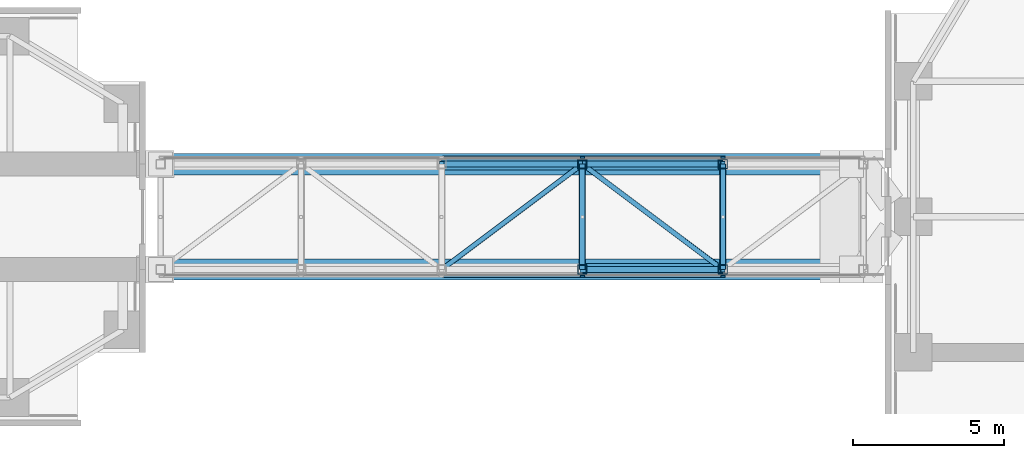
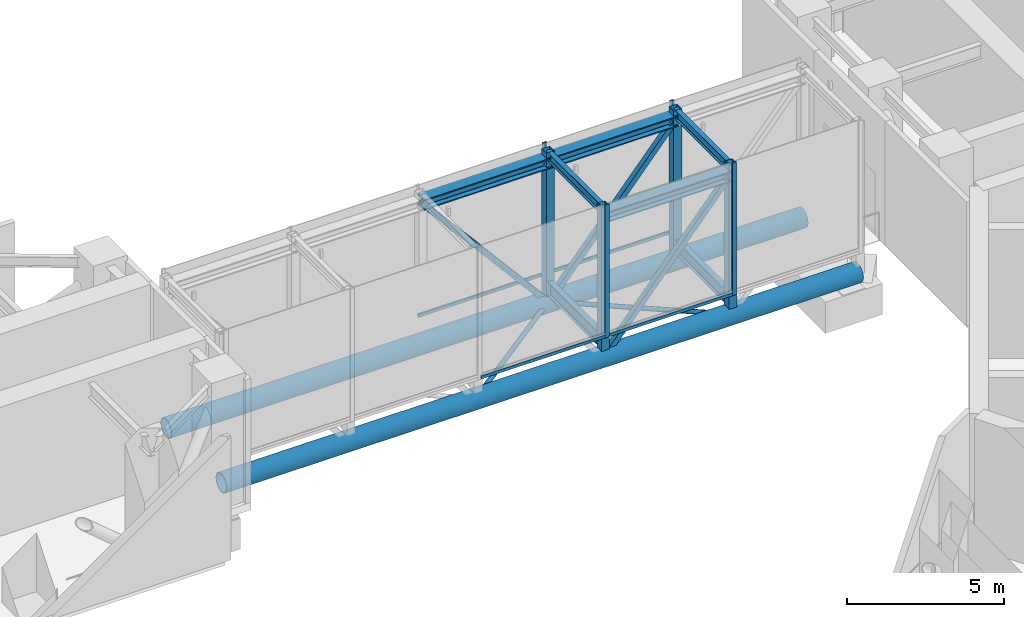
# One storey, part 3 of 15: 22 members, 4 beams, 2 elements without a shape of their own.
"""IFC4 building model written with IfcOpenShell, lengths in metres."""

from ifc_helpers import new_model, si_unit, direction, frame, origin, origin_2d, place, context, subcontext, project, spatial, rectangle, hollow_rectangle, hollow_circle, i_section, extrude, material, material_profile, profile_set, type_object, element, aggregate, save


model = new_model("IFC4")

# Units and contexts
model_context = context("Model", 3, precision=1e-05, world=origin(), true_north=direction((0.0, 1.0)))
body_context = subcontext(model_context, "Body", "Model", "MODEL_VIEW")
ifc_project = project(units=[si_unit("LENGTHUNIT", "METRE"), si_unit("AREAUNIT", "SQUARE_METRE"), si_unit("VOLUMEUNIT", "CUBIC_METRE"), si_unit("PLANEANGLEUNIT", "RADIAN"), si_unit("MASSUNIT", "GRAM", prefix="KILO")], contexts=[model_context])

# Site, building, storey
site_placement = place(None, origin())
site = spatial("IfcSite", under=ifc_project, at=site_placement, CompositionType="ELEMENT")
building_placement = place(site_placement, origin())
building = spatial("IfcBuilding", under=site, at=building_placement, Name="Upepo Twin Towers", CompositionType="ELEMENT")
storey_placement = place(building_placement, frame((0.0, 0.0, 165.5)))
storey = spatial("IfcBuildingStorey", under=building, at=storey_placement, Name="L40", CompositionType="ELEMENT", Elevation=165.5)

# Beams
ifc_material_1 = material(Name="Steel S355", Category="steel")
ifc_material_profile_1 = material_profile(ifc_material_1, i_section(OverallWidth=0.17138671875, OverallDepth=0.35498046875, WebThickness=0.00732421875, FlangeThickness=0.011474609375, FilletRadius=0.01025390625, at=origin_2d()), Name="UB 356x171x51")
ifc_profile_set_1 = profile_set([ifc_material_profile_1], Name="Steel S355")
beam_type_1 = type_object("IfcBeamType", Name="Beam UB 356x171x51", PredefinedType="BEAM", material=ifc_profile_set_1)
for number, where, z_axis, x_axis, name in (
    (1, (41.50390625, -1.75, 4.62255859375), (0.0, 1.0, 0.0), (-1.0, 0.0, 0.0), "BR2 roof beam 3"),
    (2, (46.172119140625, -1.75, 4.62255859375), (0.0, 1.0, 0.0), (-1.0, 0.0, 0.0), "BR2 roof beam 4"),
):
    element("IfcBeam", number, at=place(storey_placement, frame(where, z_axis=z_axis, x_axis=x_axis)), inside=storey, type_object=beam_type_1, Name=name, PredefinedType="BEAM", context=body_context, shape_type="SweptSolid", body=[
        extrude(i_section(OverallWidth=0.17138671875, OverallDepth=0.35498046875, WebThickness=0.00732421875, FlangeThickness=0.011474609375, FilletRadius=0.01025390625, at=origin_2d()), origin(), (0.0, 0.0, 1.0), 3.5),
    ])
ifc_material_2 = material(Name="Steel S355", Category="steel")
ifc_material_profile_2 = material_profile(ifc_material_2, i_section(OverallWidth=0.209228515625, OverallDepth=0.533203125, WebThickness=0.010009765625, FlangeThickness=0.015625, FilletRadius=0.0126953125, at=origin_2d()), Name="UB 533x210x92")
ifc_profile_set_2 = profile_set([ifc_material_profile_2], Name="Steel S355")
beam_type_2 = type_object("IfcBeamType", Name="Beam UB 533x210x92", PredefinedType="BEAM", material=ifc_profile_set_2)
for number, where, z_axis, x_axis, name in (
    (3, (41.50390625, -1.75, -0.466552734375), (0.0, 1.0, 0.0), (-1.0, 0.0, 0.0), "BR2 floor beam 3"),
    (4, (46.172119140625, -1.75, -0.466552734375), (0.0, 1.0, 0.0), (-1.0, 0.0, 0.0), "BR2 floor beam 4"),
):
    element("IfcBeam", number, at=place(storey_placement, frame(where, z_axis=z_axis, x_axis=x_axis)), inside=storey, type_object=beam_type_2, Name=name, PredefinedType="BEAM", context=body_context, shape_type="SweptSolid", body=[
        extrude(i_section(OverallWidth=0.209228515625, OverallDepth=0.533203125, WebThickness=0.010009765625, FlangeThickness=0.015625, FilletRadius=0.0126953125, at=origin_2d()), origin(), (0.0, 0.0, 1.0), 3.5),
    ])

# Members
ifc_material_3 = material(Name="Steel S355", Category="steel")
ifc_material_profile_3 = material_profile(ifc_material_3, hollow_circle(Radius=0.35546875, WallThickness=0.02490234375, at=origin_2d()), Name="CHS 711.0x25.0")
ifc_profile_set_3 = profile_set([ifc_material_profile_3], Name="Steel S355")
member_type_1 = type_object("IfcMemberType", Name="Bridge bottom chord CHS 711.0x25.0", PredefinedType="CHORD", material=ifc_profile_set_3)
for number, where, z_axis, x_axis, name in (
    (5, (27.5, 1.75, -1.088623046875), (1.0, 0.0, 0.0), (0.0, 1.0, 0.0), "BR2 bottom chord N"),
    (6, (27.5, -1.75, -1.088623046875), (1.0, 0.0, 0.0), (0.0, 1.0, 0.0), "BR2 bottom chord S"),
):
    element("IfcMember", number, at=place(storey_placement, frame(where, z_axis=z_axis, x_axis=x_axis)), inside=storey, type_object=member_type_1, Name=name, PredefinedType="CHORD", context=body_context, shape_type="SweptSolid", body=[
        extrude(hollow_circle(Radius=0.35546875, WallThickness=0.02490234375, at=origin_2d()), origin(), (0.0, 0.0, 1.0), 23.340087890625),
    ])
ifc_material_4 = material(Name="Steel S355", Category="steel")
ifc_material_profile_4 = material_profile(ifc_material_4, i_section(OverallWidth=0.403076171875, OverallDepth=0.406494140625, WebThickness=0.026611328125, FlangeThickness=0.04296875, FilletRadius=0.01513671875, at=origin_2d()), Name="UC 356x406x340")
ifc_profile_set_4 = profile_set([ifc_material_profile_4], Name="Steel S355")
member_type_2 = type_object("IfcMemberType", Name="Bridge chord UC 356x406x340", PredefinedType="CHORD", material=ifc_profile_set_4)
member_1_placement = place(storey_placement, frame((36.8359375, 1.75, 4.39990234375), z_axis=(1.0, 0.0, 0.0), x_axis=(0.0, 1.0, 0.0)))
element("IfcMember", 7, at=member_1_placement, inside=storey, type_object=member_type_2, Name="BR2 top chord N3", PredefinedType="CHORD", context=body_context, shape_type="SweptSolid", body=[
    extrude(i_section(OverallWidth=0.403076171875, OverallDepth=0.406494140625, WebThickness=0.026611328125, FlangeThickness=0.04296875, FilletRadius=0.01513671875, at=origin_2d()), origin(), (0.0, 0.0, 1.0), 4.66796875),
])
for number, where, z_axis, x_axis, name in (
    (8, (41.50390625, 1.75, 4.39990234375), (1.0, 0.0, 0.0), (0.0, 1.0, 0.0), "BR2 top chord N4"),
    (9, (41.50390625, -1.75, 4.39990234375), (1.0, 0.0, 0.0), (0.0, 1.0, 0.0), "BR2 top chord S4"),
):
    element("IfcMember", number, at=place(storey_placement, frame(where, z_axis=z_axis, x_axis=x_axis)), inside=storey, type_object=member_type_2, Name=name, PredefinedType="CHORD", context=body_context, shape_type="SweptSolid", body=[
        extrude(i_section(OverallWidth=0.403076171875, OverallDepth=0.406494140625, WebThickness=0.026611328125, FlangeThickness=0.04296875, FilletRadius=0.01513671875, at=origin_2d()), origin(), (0.0, 0.0, 1.0), 4.668212890625),
    ])
ifc_material_5 = material(Name="Steel S355", Category="steel")
ifc_material_profile_5 = material_profile(ifc_material_5, hollow_rectangle(XDim=0.199951171875, YDim=0.199951171875, WallThickness=0.010009765625, at=origin_2d()), Name="SHS 200x200x10.0")
ifc_profile_set_5 = profile_set([ifc_material_profile_5], Name="Steel S355")
member_type_3 = type_object("IfcMemberType", Name="Bridge diagonal SHS 200x200x10.0", PredefinedType="BRACE", material=ifc_profile_set_5)
member_2_placement = place(storey_placement, frame((36.8359375, 1.75, 4.39990234375), z_axis=(0.647867731372, 0.0, -0.761752848795), x_axis=(0.0, 1.0, 0.0)))
element("IfcMember", 10, at=member_2_placement, inside=storey, type_object=member_type_3, Name="BR2 diagonal N3", PredefinedType="BRACE", context=body_context, shape_type="SweptSolid", body=[
    extrude(hollow_rectangle(XDim=0.199951171875, YDim=0.199951171875, WallThickness=0.010009765625, at=origin_2d()), origin(), (0.0, 0.0, 1.0), 7.205078125),
])
for number, where, z_axis, x_axis, name in (
    (11, (41.50390625, 1.75, -1.088623046875), (0.647887392676, 0.0, 0.761736126497), (0.0, 1.0, 0.0), "BR2 diagonal N4"),
    (12, (41.50390625, -1.75, -1.088623046875), (0.647887392676, 0.0, 0.761736126497), (0.0, 1.0, 0.0), "BR2 diagonal S4"),
):
    element("IfcMember", number, at=place(storey_placement, frame(where, z_axis=z_axis, x_axis=x_axis)), inside=storey, type_object=member_type_3, Name=name, PredefinedType="BRACE", context=body_context, shape_type="SweptSolid", body=[
        extrude(hollow_rectangle(XDim=0.199951171875, YDim=0.199951171875, WallThickness=0.010009765625, at=origin_2d()), origin(), (0.0, 0.0, 1.0), 7.205322265625),
    ])
ifc_material_6 = material(Name="Steel S355", Category="steel")
ifc_material_profile_6 = material_profile(ifc_material_6, hollow_circle(Radius=0.084228515625, WallThickness=0.008056640625, at=origin_2d()), Name="CHS 168.3x8.0")
ifc_profile_set_6 = profile_set([ifc_material_profile_6], Name="Steel S355")
member_type_4 = type_object("IfcMemberType", Name="Bridge plan brace CHS 168.3x8.0", PredefinedType="BRACE", material=ifc_profile_set_6)
for number, where, z_axis, x_axis, name in (
    (13, (36.8359375, -1.75, -1.088623046875), (0.800080335623, 0.599892870894, 0.0), (-0.599892870894, 0.800080335623, 0.0), "BR2 plan brace 3"),
    (14, (41.50390625, 1.75, -1.088623046875), (0.800095393762, -0.599872787248, 0.0), (0.599872787248, 0.800095393762, 0.0), "BR2 plan brace 4"),
):
    element("IfcMember", number, at=place(storey_placement, frame(where, z_axis=z_axis, x_axis=x_axis)), inside=storey, type_object=member_type_4, Name=name, PredefinedType="BRACE", context=body_context, shape_type="SweptSolid", body=[
        extrude(hollow_circle(Radius=0.084228515625, WallThickness=0.008056640625, at=origin_2d()), origin(), (0.0, 0.0, 1.0), 5.83447265625),
    ])
ifc_material_7 = material(Name="Steel S355", Category="steel")
ifc_material_profile_7 = material_profile(ifc_material_7, hollow_rectangle(XDim=0.300048828125, YDim=0.300048828125, WallThickness=0.012451171875, at=origin_2d()), Name="SHS 300x300x12.5")
ifc_profile_set_7 = profile_set([ifc_material_profile_7], Name="Steel S355")
member_type_5 = type_object("IfcMemberType", Name="Bridge post SHS 300x300x12.5", PredefinedType="POST", material=ifc_profile_set_7)
for number, where, z_axis, x_axis, name in (
    (15, (41.50390625, 1.75, -1.088623046875), (0.0, 0.0, 1.0), (1.0, 0.0, 0.0), "BR2 vertical N3"),
    (16, (46.172119140625, 1.75, -1.088623046875), (0.0, 0.0, 1.0), (1.0, 0.0, 0.0), "BR2 vertical N4"),
    (17, (41.50390625, -1.75, -1.088623046875), (0.0, 0.0, 1.0), (1.0, 0.0, 0.0), "BR2 vertical S3"),
    (18, (46.172119140625, -1.75, -1.088623046875), (0.0, 0.0, 1.0), (1.0, 0.0, 0.0), "BR2 vertical S4"),
):
    element("IfcMember", number, at=place(storey_placement, frame(where, z_axis=z_axis, x_axis=x_axis)), inside=storey, type_object=member_type_5, Name=name, PredefinedType="POST", context=body_context, shape_type="SweptSolid", body=[
        extrude(hollow_rectangle(XDim=0.300048828125, YDim=0.300048828125, WallThickness=0.012451171875, at=origin_2d()), origin(), (0.0, 0.0, 1.0), 5.888671875),
    ])

# Curtain wall, members
ifc_material_8 = material(Name="Aluminium and clear glass", Category="aluminium")
curtain_wall_type = type_object("IfcCurtainWallType", Name="Bridge curtain wall BW1", PredefinedType="NOTDEFINED", material=ifc_material_8)
curtain_wall_1_placement = place(storey_placement, origin())
curtain_wall_1 = element("IfcCurtainWall", 19, at=curtain_wall_1_placement, inside=storey, type_object=curtain_wall_type, Name="BR2 curtain wall N", PredefinedType="NOTDEFINED")
ifc_material_9 = material(Name="Aluminium mullion", Category="aluminium")
ifc_material_profile_8 = material_profile(ifc_material_9, rectangle(XDim=0.06494140625, YDim=0.14990234375, at=origin_2d()), Name="MULLION 65x150 BRIDGE")
ifc_profile_set_8 = profile_set([ifc_material_profile_8], Name="Aluminium mullion")
member_type_6 = type_object("IfcMemberType", Name="Mullion 65x150 BW1", PredefinedType="MULLION", material=ifc_profile_set_8)
member_3_placement = place(storey_placement, frame((46.172119140625, 1.97509765625, -0.199951171875), z_axis=(0.0, 0.0, 1.0), x_axis=(0.0, -1.0, 0.0)))
member_3 = element("IfcMember", 20, at=member_3_placement, type_object=member_type_6, Name="BR2 curtain wall N mullion 2", PredefinedType="MULLION", context=body_context, shape_type="SweptSolid", body=[
    extrude(rectangle(XDim=0.06494140625, YDim=0.14990234375, at=origin_2d()), origin(), (0.0, 0.0, 1.0), 5.14990234375),
])
member_4_placement = place(storey_placement, frame((41.50390625, 1.97509765625, -0.199951171875), z_axis=(0.0, 0.0, 1.0), x_axis=(0.0, -1.0, 0.0)))
member_4 = element("IfcMember", 21, at=member_4_placement, type_object=member_type_6, Name="BR2 curtain wall N mullion 3", PredefinedType="MULLION", context=body_context, shape_type="SweptSolid", body=[
    extrude(rectangle(XDim=0.06494140625, YDim=0.14990234375, at=origin_2d()), origin(), (0.0, 0.0, 1.0), 5.14990234375),
])

curtain_wall_2_placement = place(storey_placement, origin())
curtain_wall_2 = element("IfcCurtainWall", 22, at=curtain_wall_2_placement, inside=storey, type_object=curtain_wall_type, Name="BR2 curtain wall S", PredefinedType="NOTDEFINED")
member_5_placement = place(storey_placement, frame((41.50390625, -1.97509765625, -0.199951171875), z_axis=(0.0, 0.0, 1.0), x_axis=(0.0, 1.0, 0.0)))
member_5 = element("IfcMember", 23, at=member_5_placement, type_object=member_type_6, Name="BR2 curtain wall S mullion 4", PredefinedType="MULLION", context=body_context, shape_type="SweptSolid", body=[
    extrude(rectangle(XDim=0.06494140625, YDim=0.14990234375, at=origin_2d()), origin(), (0.0, 0.0, 1.0), 5.14990234375),
])
member_6_placement = place(storey_placement, frame((46.172119140625, -1.97509765625, -0.199951171875), z_axis=(0.0, 0.0, 1.0), x_axis=(0.0, 1.0, 0.0)))
member_6 = element("IfcMember", 24, at=member_6_placement, type_object=member_type_6, Name="BR2 curtain wall S mullion 5", PredefinedType="MULLION", context=body_context, shape_type="SweptSolid", body=[
    extrude(rectangle(XDim=0.06494140625, YDim=0.14990234375, at=origin_2d()), origin(), (0.0, 0.0, 1.0), 5.14990234375),
])

# Member
ifc_material_10 = material(Name="Aluminium transom", Category="aluminium")
ifc_material_profile_9 = material_profile(ifc_material_10, rectangle(XDim=0.06494140625, YDim=0.1201171875, at=origin_2d()), Name="TRANSOM 65x120 BRIDGE")
ifc_profile_set_9 = profile_set([ifc_material_profile_9], Name="Aluminium transom")
member_type_7 = type_object("IfcMemberType", Name="Transom 65x120 BW1", PredefinedType="USERDEFINED", material=ifc_profile_set_9)
member_7_placement = place(storey_placement, frame((46.139404296875, 1.97509765625, -0.139892578125), z_axis=(-1.0, 0.0, 0.0), x_axis=(0.0, -1.0, 0.0)))
member_7 = element("IfcMember", 25, at=member_7_placement, type_object=member_type_7, Name="BR2 curtain wall N transom 2", ObjectType="TRANSOM", PredefinedType="USERDEFINED", context=body_context, shape_type="SweptSolid", body=[
    extrude(rectangle(XDim=0.06494140625, YDim=0.1201171875, at=origin_2d()), origin(), (0.0, 0.0, 1.0), 4.602783203125),
])

member_8_placement = place(storey_placement, frame((41.471435546875, 1.97509765625, -0.139892578125), z_axis=(-1.0, 0.0, 0.0), x_axis=(0.0, -1.0, 0.0)))
member_8 = element("IfcMember", 26, at=member_8_placement, type_object=member_type_7, Name="BR2 curtain wall N transom 3", ObjectType="TRANSOM", PredefinedType="USERDEFINED", context=body_context, shape_type="SweptSolid", body=[
    extrude(rectangle(XDim=0.06494140625, YDim=0.1201171875, at=origin_2d()), origin(), (0.0, 0.0, 1.0), 4.60302734375),
])

aggregate(curtain_wall_1, [member_3, member_4, member_7, member_8])

member_9_placement = place(storey_placement, frame((36.868408203125, -1.97509765625, -0.139892578125), z_axis=(1.0, 0.0, 0.0), x_axis=(0.0, 1.0, 0.0)))
member_9 = element("IfcMember", 27, at=member_9_placement, type_object=member_type_7, Name="BR2 curtain wall S transom 3", ObjectType="TRANSOM", PredefinedType="USERDEFINED", context=body_context, shape_type="SweptSolid", body=[
    extrude(rectangle(XDim=0.06494140625, YDim=0.1201171875, at=origin_2d()), origin(), (0.0, 0.0, 1.0), 4.60302734375),
])

member_10_placement = place(storey_placement, frame((41.53662109375, -1.97509765625, -0.139892578125), z_axis=(1.0, 0.0, 0.0), x_axis=(0.0, 1.0, 0.0)))
member_10 = element("IfcMember", 28, at=member_10_placement, type_object=member_type_7, Name="BR2 curtain wall S transom 4", ObjectType="TRANSOM", PredefinedType="USERDEFINED", context=body_context, shape_type="SweptSolid", body=[
    extrude(rectangle(XDim=0.06494140625, YDim=0.1201171875, at=origin_2d()), origin(), (0.0, 0.0, 1.0), 4.602783203125),
])

aggregate(curtain_wall_2, [member_5, member_6, member_9, member_10])

save(model, "model.ifc")
